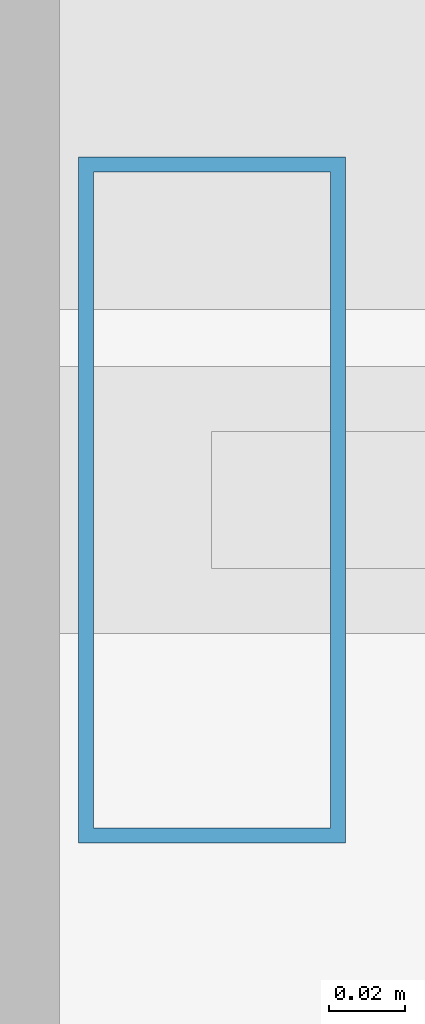
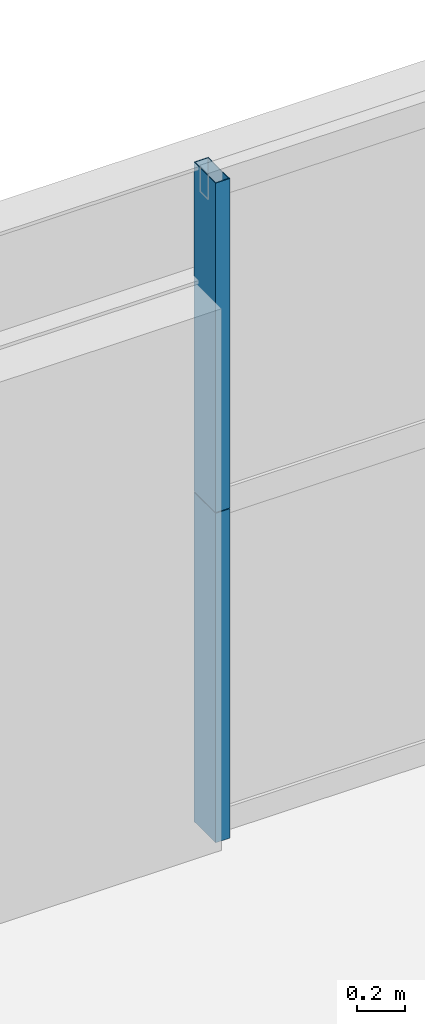
# One storey, part 26 of 43: 2 members, 1 element without a shape of its own.
"""IFC4 building model written with IfcOpenShell, lengths in metres."""

from ifc_helpers import new_model, si_unit, direction, frame, origin, origin_2d, place, context, subcontext, project, spatial, hollow_rectangle, extrude, source, transform, mapped, material, layer, layer_set, material_profile, profile_set, type_object, element, aggregate, save


model = new_model("IFC4")

# Units and contexts
model_context = context("Model", 3, precision=1e-05, world=origin(), true_north=direction((0.0, 1.0)))
body_context = subcontext(model_context, "Body", "Model", "MODEL_VIEW")
ifc_project = project(units=[si_unit("LENGTHUNIT", "METRE"), si_unit("AREAUNIT", "SQUARE_METRE"), si_unit("VOLUMEUNIT", "CUBIC_METRE"), si_unit("PLANEANGLEUNIT", "RADIAN"), si_unit("MASSUNIT", "GRAM", prefix="KILO"), si_unit("THERMODYNAMICTEMPERATUREUNIT", "KELVIN"), si_unit("POWERUNIT", "WATT")], contexts=[model_context])

# Site, building, storey
site_placement = place(None, origin())
site = spatial("IfcSite", under=ifc_project, at=site_placement, CompositionType="ELEMENT")
building_placement = place(site_placement, origin())
building = spatial("IfcBuilding", under=site, at=building_placement, Name="Yuzanri Waterfront Tower", CompositionType="ELEMENT")
storey_placement = place(building_placement, frame((0.0, 0.0, 46.0)))
storey = spatial("IfcBuildingStorey", under=building, at=storey_placement, Name="L11", CompositionType="ELEMENT", Elevation=46.0)

# Curtain wall, members
ifc_material_1 = material(Name="Anodized Architectural Bronze", Category="metal")
ifc_layer = layer(ifc_material_1, 0.159912109375)
ifc_layer_set = layer_set([ifc_layer], Name="Anodized Architectural Bronze")
curtain_wall_type = type_object("IfcCurtainWallType", Name="Anodized Bronze Hotel Lower-Tier Recessed Unitized Curtain Wall 8100", PredefinedType="NOTDEFINED", material=ifc_layer_set)
curtain_wall_placement = place(storey_placement, origin())
curtain_wall = element("IfcCurtainWall", 1, at=curtain_wall_placement, inside=storey, type_object=curtain_wall_type, Name="L11 Curtain Wall CW-L11-NL", PredefinedType="NOTDEFINED")
ifc_material_2 = material(Name="Anodized Architectural Bronze", Category="metal")
ifc_material_profile = material_profile(ifc_material_2, hollow_rectangle(XDim=0.070068359375, YDim=0.179931640625, WallThickness=0.00390625, at=origin_2d()), Name="CWM 70x180")
ifc_profile_set = profile_set([ifc_material_profile], Name="Anodized Architectural Bronze")
member_type = type_object("IfcMemberType", Name="Anodized Bronze Standard Curtain-Wall Mullion 70x180", PredefinedType="MULLION", material=ifc_profile_set)
shared_shape = source(origin(), body_context, "Body", "SweptSolid", [
    extrude(hollow_rectangle(XDim=0.070068359375, YDim=0.179931640625, WallThickness=0.00390625, at=origin_2d()), origin(), (0.0, 0.0, 1.0), 1.68798828125),
])
member_1_placement = place(storey_placement, frame((19.2900390625, 50.75, 0.0), z_axis=(0.0, 0.0, 1.0), x_axis=(1.0, 0.0, 0.0)))
member_1 = element("IfcMember", 2, at=member_1_placement, type_object=member_type, Name="CW-L11-NL Lower Mullion 00", PredefinedType="MULLION", context=body_context, shape_type="MappedRepresentation", body=[
    mapped(shared_shape, transform((0.0, 0.0, 0.0), scale=1.0)),
])
member_2_placement = place(storey_placement, frame((19.2900390625, 50.75, 1.69189453125), z_axis=(0.0, 0.0, 1.0), x_axis=(1.0, 0.0, 0.0)))
member_2 = element("IfcMember", 3, at=member_2_placement, type_object=member_type, Name="CW-L11-NL Upper Mullion 00", PredefinedType="MULLION", context=body_context, shape_type="MappedRepresentation", body=[
    mapped(shared_shape, transform((0.0, 0.0, 0.0), scale=1.0)),
])
aggregate(curtain_wall, [member_1, member_2])

save(model, "model.ifc")
